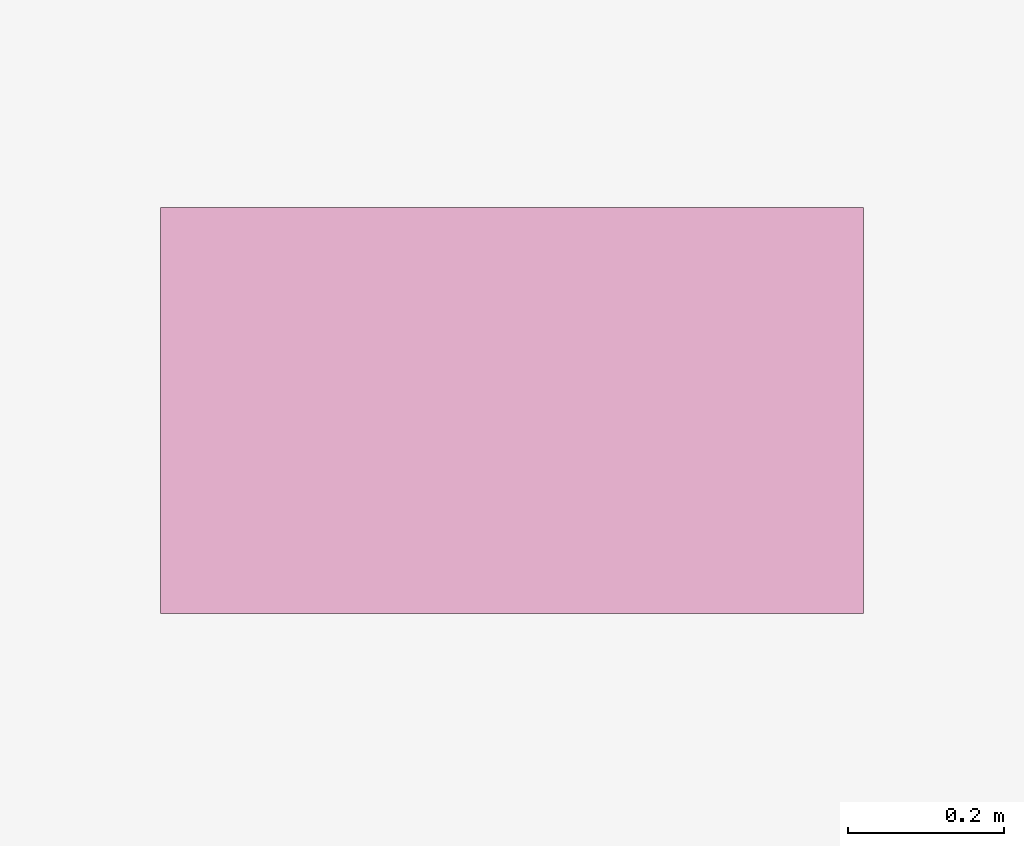
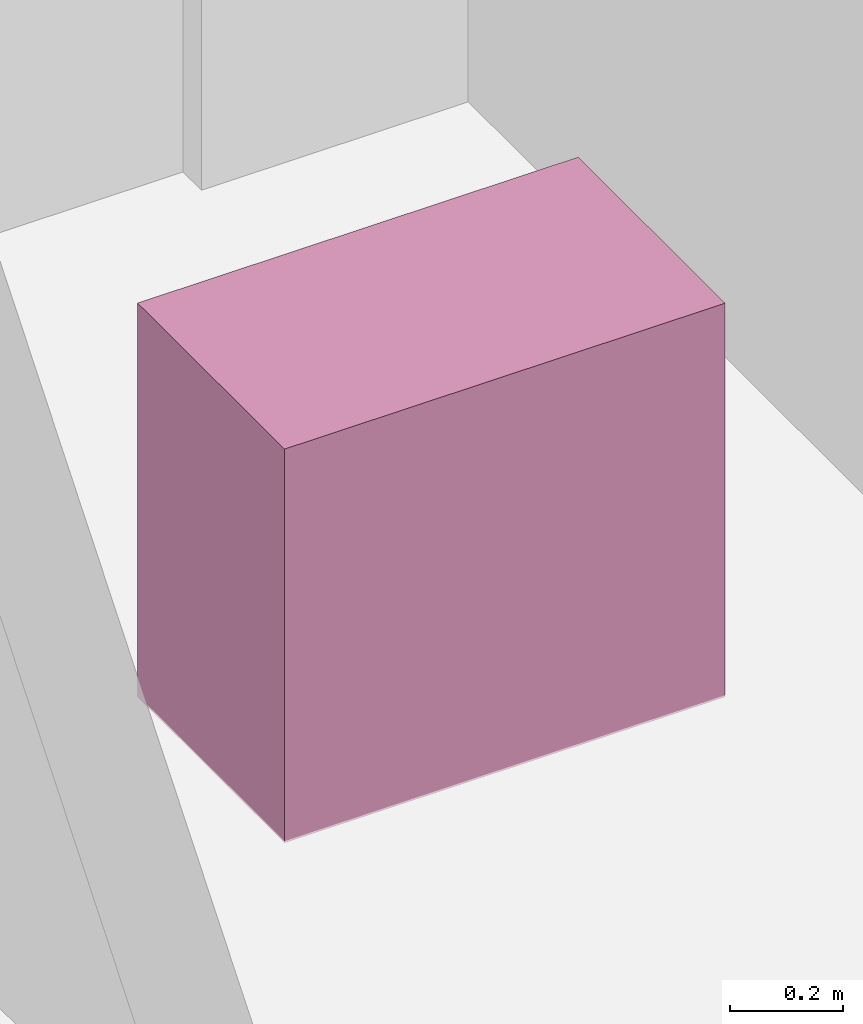
# One storey, part 34 of 34: 1 furnishing.
"""IFC4 building model written with IfcOpenShell, lengths in metres."""

import ifcopenshell
import ifcopenshell.guid

model = None  # the IFC model being written
_history = None  # IfcOwnerHistory: only IFC2X3 demands one
_inside = {}  # id of a spatial element -> (the spatial element, [elements in it])
_under = {}  # id of a project, library or spatial element -> (it, [spatial elements below it])
_declared = {}  # id of a project -> (the project, [libraries it declares])
_typed = {}  # id of a type object -> (the type object, [elements of that type])
_made_of = {}  # id of a material, layer set ... -> (it, [elements and type objects made of it])


def new_model(schema):
    """Start an empty IFC model of exactly this schema.

    Asked for "IFC4X3", IfcOpenShell would pick the latest addendum, in which some entities
    have other attributes; the version numbers below select the first issue.
    IFC2X3 requires an IfcOwnerHistory on every rooted entity: one is made here for all.
    """
    global model, _history
    if schema == "IFC4X3":
        model = ifcopenshell.file(schema_version=(4, 3, 0, 0))
    else:
        model = ifcopenshell.file(schema=schema)
    _inside.clear()
    _under.clear()
    _declared.clear()
    _typed.clear()
    _made_of.clear()
    _history = None
    if model.schema == "IFC2X3":
        org = make("IfcOrganization", Name="unknown")
        user = make(
            "IfcPersonAndOrganization",
            ThePerson=make("IfcPerson", FamilyName="unknown"),
            TheOrganization=org,
        )
        app = make(
            "IfcApplication",
            ApplicationDeveloper=org,
            Version="unknown",
            ApplicationFullName="unknown",
            ApplicationIdentifier="unknown",
        )
        _history = make(
            "IfcOwnerHistory",
            OwningUser=user,
            OwningApplication=app,
            ChangeAction="ADDED",
            CreationDate=0,
        )
    return model


def make(cls, **values):
    """One entity of the class cls with the attributes given. An attribute that is None is left unset."""
    return model.create_entity(
        cls, **{name: value for name, value in values.items() if value is not None}
    )


def rooted(cls, **values):
    """An entity with a GlobalId (a new one), such as an element, a storey or a relation."""
    return make(cls, GlobalId=ifcopenshell.guid.new(), OwnerHistory=_history, **values)


def si_unit(unit_type, name, prefix=None):
    """IfcSIUnit, for example si_unit("LENGTHUNIT", "METRE", prefix="MILLI")."""
    return make("IfcSIUnit", UnitType=unit_type, Prefix=prefix, Name=name)


def assignment(units):
    """IfcUnitAssignment: the units of a project."""
    return None if units is None else make("IfcUnitAssignment", Units=units)


def point(xyz):
    """IfcCartesianPoint."""
    return None if xyz is None else make("IfcCartesianPoint", Coordinates=xyz)


def direction(xyz):
    """IfcDirection."""
    return None if xyz is None else make("IfcDirection", DirectionRatios=xyz)


def frame(location, z_axis=None, x_axis=None):
    """IfcAxis2Placement3D, a coordinate frame: its origin and axes. An axis left out is left unset."""
    return make(
        "IfcAxis2Placement3D",
        Location=point(location),
        Axis=direction(z_axis),
        RefDirection=direction(x_axis),
    )


def frame_2d(location, x_axis=None):
    """IfcAxis2Placement2D, a coordinate frame in the plane: its origin and x axis."""
    return make(
        "IfcAxis2Placement2D", Location=point(location), RefDirection=direction(x_axis)
    )


def origin():
    """The frame at (0, 0, 0) with its axes left unset."""
    return frame((0.0, 0.0, 0.0))


def origin_2d():
    """The frame at (0, 0) in the plane with its x axis left unset."""
    return frame_2d((0.0, 0.0))


def place(relative_to, where):
    """IfcLocalPlacement: puts the frame where relative to a parent placement (None: the world)."""
    return make(
        "IfcLocalPlacement", PlacementRelTo=relative_to, RelativePlacement=where
    )


def context(
    kind, dimensions, precision=None, world=None, true_north=None, identifier=None
):
    """IfcGeometricRepresentationContext, for example the 3D "Model" context."""
    return make(
        "IfcGeometricRepresentationContext",
        ContextIdentifier=identifier,
        ContextType=kind,
        CoordinateSpaceDimension=dimensions,
        Precision=precision,
        WorldCoordinateSystem=world,
        TrueNorth=true_north,
    )


def subcontext(parent, identifier, kind, view, scale=None):
    """IfcGeometricRepresentationSubContext, for example "Body" below "Model"."""
    return make(
        "IfcGeometricRepresentationSubContext",
        ContextIdentifier=identifier,
        ContextType=kind,
        ParentContext=parent,
        TargetScale=scale,
        TargetView=view,
    )


def project(units=None, contexts=None):
    """IfcProject with its units and contexts."""
    return rooted(
        "IfcProject",
        Name="project",
        RepresentationContexts=contexts,
        UnitsInContext=assignment(units),
    )


def spatial(cls, under=None, at=None, **own):
    """A site, building, storey or space (cls), placed at a placement, below another one or the project."""
    s = rooted(cls, ObjectPlacement=at, **own)
    if under is not None:
        _under.setdefault(under.id(), (under, []))[1].append(s)
    return s


def profile(cls, at=None, kind="AREA", **sizes):
    """A parametric profile (cls). Its sizes go by their IFC names, for example OverallWidth=200.0."""
    return make(cls, ProfileType=kind, Position=at, **sizes)


def rectangle(**sizes):
    """IfcRectangleProfileDef."""
    return profile("IfcRectangleProfileDef", **sizes)


def extrude(swept, where, along, depth):
    """IfcExtrudedAreaSolid: the profile swept, set in the frame where, extruded along a direction by depth."""
    return make(
        "IfcExtrudedAreaSolid",
        SweptArea=swept,
        Position=where,
        ExtrudedDirection=direction(along),
        Depth=depth,
    )


def shape(context_of_items, identifier, shape_type, items):
    """IfcShapeRepresentation: the items that make up one representation, for example the "Body"."""
    return make(
        "IfcShapeRepresentation",
        ContextOfItems=context_of_items,
        RepresentationIdentifier=identifier,
        RepresentationType=shape_type,
        Items=items,
    )


def material(Name=None, Category=None):
    """IfcMaterial."""
    return make("IfcMaterial", Name=Name, Category=Category)


def made_of(thing, what):
    """Note that an element or type object is made of a material, layer set ...; save() writes the relation."""
    if what is not None:
        _made_of.setdefault(what.id(), (what, []))[1].append(thing)
    return thing


def type_object(cls, material=None, **own):
    """A type object (cls), such as IfcWallType, which elements share."""
    return made_of(rooted(cls, **own), material)


def element(
    cls,
    number,
    at=None,
    inside=None,
    cuts=None,
    type_object=None,
    material=None,
    context=None,
    identifier="Body",
    shape_type=None,
    held_by="IfcProductDefinitionShape",
    body=None,
    shapes=None,
    **own,
):
    """One element of the class cls, such as IfcWall. Its Tag is "e" and its number.

    at: its placement. inside: the storey or other place that contains it. cuts: it is an
    opening in that element (IfcRelVoidsElement). A single representation is given by context,
    identifier, shape_type and body (its items); several are given by shapes. held_by: the class
    of the entity that holds the representations. save() writes the other relations.
    """
    e = rooted(cls, Tag="e%d" % number, ObjectPlacement=at, **own)
    if body is not None:
        shapes = [shape(context, identifier, shape_type, body)]
    if shapes is not None:
        e.Representation = make(held_by, Representations=shapes)
    if inside is not None:
        _inside.setdefault(inside.id(), (inside, []))[1].append(e)
    if cuts is not None:
        rooted(
            "IfcRelVoidsElement", RelatingBuildingElement=cuts, RelatedOpeningElement=e
        )
    if type_object is not None:
        _typed.setdefault(type_object.id(), (type_object, []))[1].append(e)
    return made_of(e, material)


def aggregate(whole, parts):
    """IfcRelAggregates: a whole, such as a stair, and the parts it consists of."""
    return rooted("IfcRelAggregates", RelatingObject=whole, RelatedObjects=parts)


def save(model, path):
    """Write the relations noted so far, then the file.

    IfcRelAggregates (storeys below a building ...), IfcRelContainedInSpatialStructure (elements
    in a storey), IfcRelDefinesByType, IfcRelAssociatesMaterial and IfcRelDeclares: one each for
    every whole, place, type object, material and project.
    """
    for whole, parts in _under.values():
        aggregate(whole, parts)
    for where, things in _inside.values():
        rooted(
            "IfcRelContainedInSpatialStructure",
            RelatedElements=things,
            RelatingStructure=where,
        )
    for kind, things in _typed.values():
        rooted("IfcRelDefinesByType", RelatedObjects=things, RelatingType=kind)
    for what, things in _made_of.values():
        rooted("IfcRelAssociatesMaterial", RelatedObjects=things, RelatingMaterial=what)
    for by, libraries in _declared.values():
        rooted("IfcRelDeclares", RelatingContext=by, RelatedDefinitions=libraries)
    model.write(path)


model = new_model("IFC4")

# Units and contexts
model_context = context("Model", 3, precision=1e-05, world=origin(), true_north=direction((0.0, 1.0)))
body_context = subcontext(model_context, "Body", "Model", "MODEL_VIEW")
ifc_project = project(units=[si_unit("LENGTHUNIT", "METRE"), si_unit("AREAUNIT", "SQUARE_METRE"), si_unit("VOLUMEUNIT", "CUBIC_METRE"), si_unit("PLANEANGLEUNIT", "RADIAN"), si_unit("MASSUNIT", "GRAM", prefix="KILO")], contexts=[model_context])

# Site, building, storey
site_placement = place(None, origin())
site = spatial("IfcSite", under=ifc_project, at=site_placement, CompositionType="ELEMENT")
building_placement = place(site_placement, origin())
building = spatial("IfcBuilding", under=site, at=building_placement, Name="Vorneva Point Tower", CompositionType="ELEMENT")
storey_placement = place(building_placement, frame((0.0, 0.0, 186.10009765625)))
storey = spatial("IfcBuildingStorey", under=building, at=storey_placement, Name="L50", CompositionType="ELEMENT", Elevation=186.10009765625)

# Furnishing
ifc_material = material(Name="Vitreous china and granite top", Category="masonry")
furniture_type = type_object("IfcFurnitureType", Name="FUR-VAN-900", AssemblyPlace="NOTDEFINED", PredefinedType="NOTDEFINED", material=ifc_material)
furnishing_placement = place(storey_placement, frame((34.52490234375, 32.1201171875, -0.005126953125), z_axis=(0.0, 0.0, 1.0), x_axis=(1.0, 0.0, 0.0)))
element("IfcFurnishingElement", 1, at=furnishing_placement, inside=storey, type_object=furniture_type, Name="L50 Accessible WC Vanity Unit", ObjectType="L50 Accessible WC Vanity Unit", context=body_context, shape_type="SweptSolid", body=[
    extrude(rectangle(XDim=0.89990234375, YDim=0.52001953125, at=origin_2d()), origin(), (0.0, 0.0, 1.0), 0.85009765625),
])

save(model, "model.ifc")
